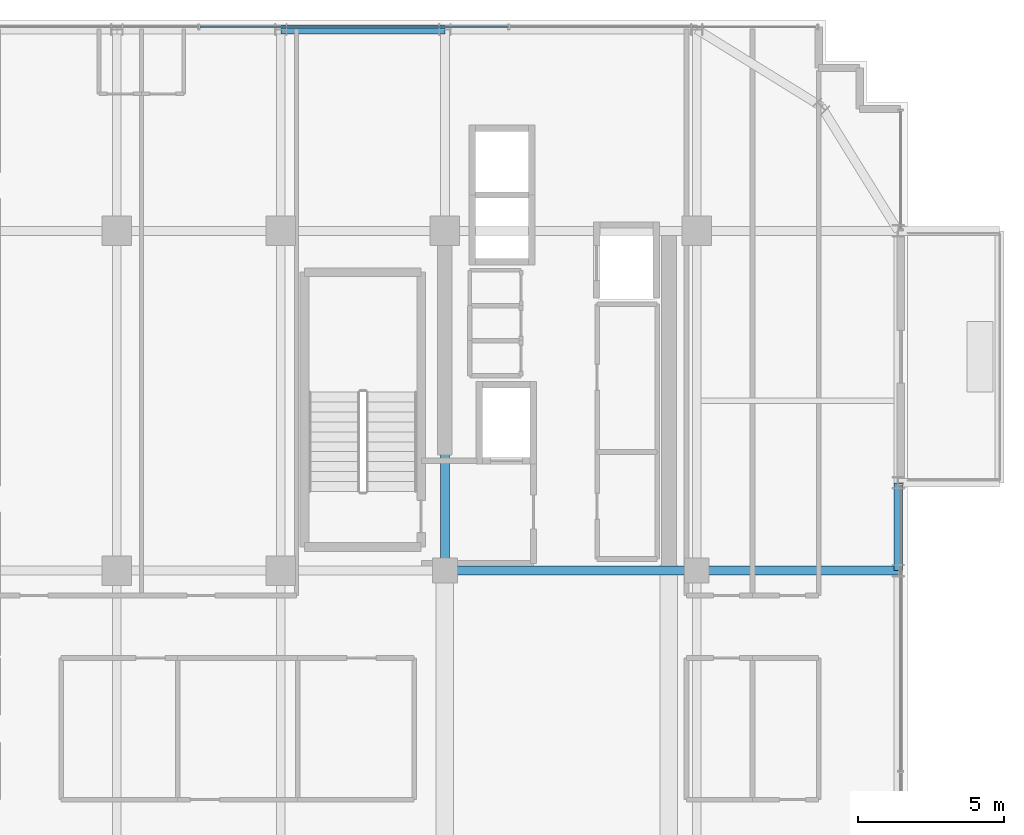
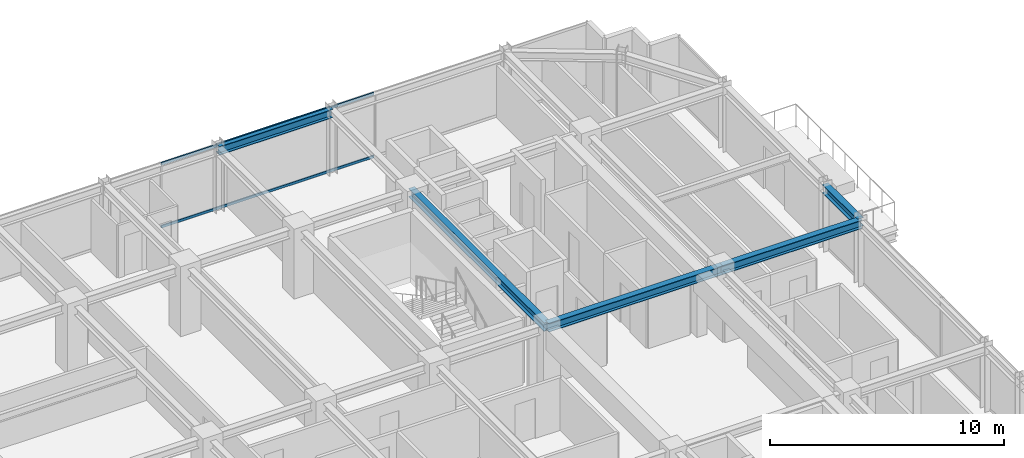
# One storey, part 23 of 36: 5 beams, 2 members, 1 element without a shape of its own.
"""IFC4 building model written with IfcOpenShell, lengths in metres."""

from ifc_helpers import new_model, si_unit, direction, frame, origin, origin_2d, place, context, subcontext, project, spatial, hollow_rectangle, i_section, extrude, source, transform, mapped, material, material_profile, profile_set, type_object, element, aggregate, save


model = new_model("IFC4")

# Units and contexts
model_context = context("Model", 3, precision=1e-05, world=origin(), true_north=direction((0.0, 1.0)))
body_context = subcontext(model_context, "Body", "Model", "MODEL_VIEW")
ifc_project = project(units=[si_unit("LENGTHUNIT", "METRE"), si_unit("AREAUNIT", "SQUARE_METRE"), si_unit("VOLUMEUNIT", "CUBIC_METRE"), si_unit("PLANEANGLEUNIT", "RADIAN"), si_unit("MASSUNIT", "GRAM", prefix="KILO")], contexts=[model_context])

# Site, building, storey
site_placement = place(None, origin())
site = spatial("IfcSite", under=ifc_project, at=site_placement, CompositionType="ELEMENT")
building_placement = place(site_placement, origin())
building = spatial("IfcBuilding", under=site, at=building_placement, Name="Nahalor Promenade Grand Hotel", CompositionType="ELEMENT")
storey_placement = place(building_placement, frame((0.0, 0.0, 223.39990234375)))
storey = spatial("IfcBuildingStorey", under=building, at=storey_placement, Name="L57", CompositionType="ELEMENT", Elevation=223.39990234375)

# Beams
ifc_material_1 = material(Name="Steel S355JR", Category="steel")
ifc_material_profile_1 = material_profile(ifc_material_1, i_section(OverallWidth=0.3, OverallDepth=0.45, WebThickness=0.014, FlangeThickness=0.026, at=origin_2d()), Name="HEB 450")
ifc_profile_set_1 = profile_set([ifc_material_profile_1], Name="Steel S355JR")
beam_type_1 = type_object("IfcBeamType", Name="Beam-Spandrel-HEB450", PredefinedType="SPANDREL", material=ifc_profile_set_1)
shared_shape_1 = source(origin(), body_context, "Body", "SweptSolid", [
    extrude(i_section(OverallWidth=0.3, OverallDepth=0.45, WebThickness=0.014, FlangeThickness=0.026, at=origin_2d()), origin(), (0.0, 0.0, 1.0), 5.599853515625),
])
beam_1_placement = place(storey_placement, frame((2.800048828125, 23.8798828125, 3.18505859375), z_axis=(1.0, 0.0, 0.0), x_axis=(0.0, 1.0, 0.0)))
element("IfcBeam", 1, at=beam_1_placement, inside=storey, type_object=beam_type_1, Name="BM-L57-SP-N-3", PredefinedType="SPANDREL", context=body_context, shape_type="MappedRepresentation", body=[
    mapped(shared_shape_1, transform((0.0, 0.0, 0.0), scale=1.0)),
])
shared_shape_2 = source(origin(), body_context, "Body", "SweptSolid", [
    extrude(i_section(OverallWidth=0.3, OverallDepth=0.45, WebThickness=0.014, FlangeThickness=0.026, at=origin_2d()), origin(), (0.0, 0.0, 1.0), 3.0),
])
beam_2_placement = place(storey_placement, frame((23.8798828125, 5.39990234375, 3.18505859375), z_axis=(0.0, 1.0, 0.0), x_axis=(-1.0, 0.0, 0.0)))
element("IfcBeam", 2, at=beam_2_placement, inside=storey, type_object=beam_type_1, Name="BM-L57-SP-E-3", PredefinedType="SPANDREL", context=body_context, shape_type="MappedRepresentation", body=[
    mapped(shared_shape_2, transform((0.0, 0.0, 0.0), scale=1.0)),
])
ifc_material_profile_2 = material_profile(ifc_material_1, i_section(OverallWidth=0.3, OverallDepth=0.45, WebThickness=0.014, FlangeThickness=0.026, at=origin_2d()), Name="HEB 450")
ifc_profile_set_2 = profile_set([ifc_material_profile_2], Name="Steel S355JR")
beam_type_2 = type_object("IfcBeamType", Name="Beam-Girder-HEB450", PredefinedType="BEAM", material=ifc_profile_set_2)
shared_shape_3 = source(origin(), body_context, "Body", "SweptSolid", [
    extrude(i_section(OverallWidth=0.3, OverallDepth=0.45, WebThickness=0.014, FlangeThickness=0.026, at=origin_2d()), origin(), (0.0, 0.0, 1.0), 6.8798828125),
])
beam_3_placement = place(storey_placement, frame((17.0, 5.39990234375, 3.18505859375), z_axis=(1.0, 0.0, 0.0), x_axis=(0.0, 1.0, 0.0)))
element("IfcBeam", 3, at=beam_3_placement, inside=storey, type_object=beam_type_2, Name="BM-L57-GX-2-6", PredefinedType="BEAM", context=body_context, shape_type="MappedRepresentation", body=[
    mapped(shared_shape_3, transform((0.0, 0.0, 0.0), scale=1.0)),
])
shared_shape_4 = source(origin(), body_context, "Body", "SweptSolid", [
    extrude(i_section(OverallWidth=0.3, OverallDepth=0.45, WebThickness=0.014, FlangeThickness=0.026, at=origin_2d()), origin(), (0.0, 0.0, 1.0), 8.60009765625),
])
beam_4_placement = place(storey_placement, frame((8.39990234375, 5.39990234375, 3.18505859375), z_axis=(1.0, 0.0, 0.0), x_axis=(0.0, 1.0, 0.0)))
element("IfcBeam", 4, at=beam_4_placement, inside=storey, type_object=beam_type_2, Name="BM-L57-GX-2-5", PredefinedType="BEAM", context=body_context, shape_type="MappedRepresentation", body=[
    mapped(shared_shape_4, transform((0.0, 0.0, 0.0), scale=1.0)),
])
shared_shape_5 = source(origin(), body_context, "Body", "SweptSolid", [
    extrude(i_section(OverallWidth=0.3, OverallDepth=0.45, WebThickness=0.014, FlangeThickness=0.026, at=origin_2d()), origin(), (0.0, 0.0, 1.0), 11.60009765625),
])
beam_5_placement = place(storey_placement, frame((8.39990234375, 5.39990234375, 3.18505859375), z_axis=(0.0, 1.0, 0.0), x_axis=(-1.0, 0.0, 0.0)))
element("IfcBeam", 5, at=beam_5_placement, inside=storey, type_object=beam_type_2, Name="BM-L57-GY-4-3", PredefinedType="BEAM", context=body_context, shape_type="MappedRepresentation", body=[
    mapped(shared_shape_5, transform((0.0, 0.0, 0.0), scale=1.0)),
])

# Curtain wall, members
ifc_material_2 = material(Name="Anodised Bronze Aluminium EN AW-6063 T6", Category="aluminium")
curtain_wall_type = type_object("IfcCurtainWallType", Name="CW2 Typical Hotel Flush Bronze Unitised Curtain Wall", PredefinedType="USERDEFINED", material=ifc_material_2)
curtain_wall_placement = place(storey_placement, origin())
curtain_wall = element("IfcCurtainWall", 6, at=curtain_wall_placement, inside=storey, type_object=curtain_wall_type, Name="L57 Curtain Wall CW-L57-N-1", ObjectType="UNITISED_CURTAIN_WALL", PredefinedType="USERDEFINED")
ifc_material_profile_3 = material_profile(ifc_material_2, hollow_rectangle(XDim=0.065, YDim=0.13, WallThickness=0.004, at=origin_2d()), Name="CWT 65x130x4")
ifc_profile_set_3 = profile_set([ifc_material_profile_3], Name="Anodised Bronze Aluminium EN AW-6063 T6")
member_type = type_object("IfcMemberType", Name="CWT2 Typical Bronze Transom 65x130", PredefinedType="USERDEFINED", material=ifc_profile_set_3)
shared_shape_6 = source(origin(), body_context, "Body", "SweptSolid", [
    extrude(hollow_rectangle(XDim=0.065, YDim=0.13, WallThickness=0.004, at=origin_2d()), origin(), (0.0, 0.0, 1.0), 10.51513671875),
])
member_1_placement = place(storey_placement, frame((0.032470703125, 23.9599609375, 0.065185546875), z_axis=(1.0, 0.0, 0.0), x_axis=(0.0, 1.0, 0.0)))
member_1 = element("IfcMember", 7, at=member_1_placement, type_object=member_type, Name="CW-L57-N-1 Transom 2-0", ObjectType="TRANSOM", PredefinedType="USERDEFINED", context=body_context, shape_type="MappedRepresentation", body=[
    mapped(shared_shape_6, transform((0.0, 0.0, 0.0), scale=1.0)),
])
member_2_placement = place(storey_placement, frame((0.032470703125, 23.9599609375, 3.34521484375), z_axis=(1.0, 0.0, 0.0), x_axis=(0.0, 1.0, 0.0)))
member_2 = element("IfcMember", 8, at=member_2_placement, type_object=member_type, Name="CW-L57-N-1 Transom 2-1", ObjectType="TRANSOM", PredefinedType="USERDEFINED", context=body_context, shape_type="MappedRepresentation", body=[
    mapped(shared_shape_6, transform((0.0, 0.0, 0.0), scale=1.0)),
])
aggregate(curtain_wall, [member_1, member_2])

save(model, "model.ifc")
